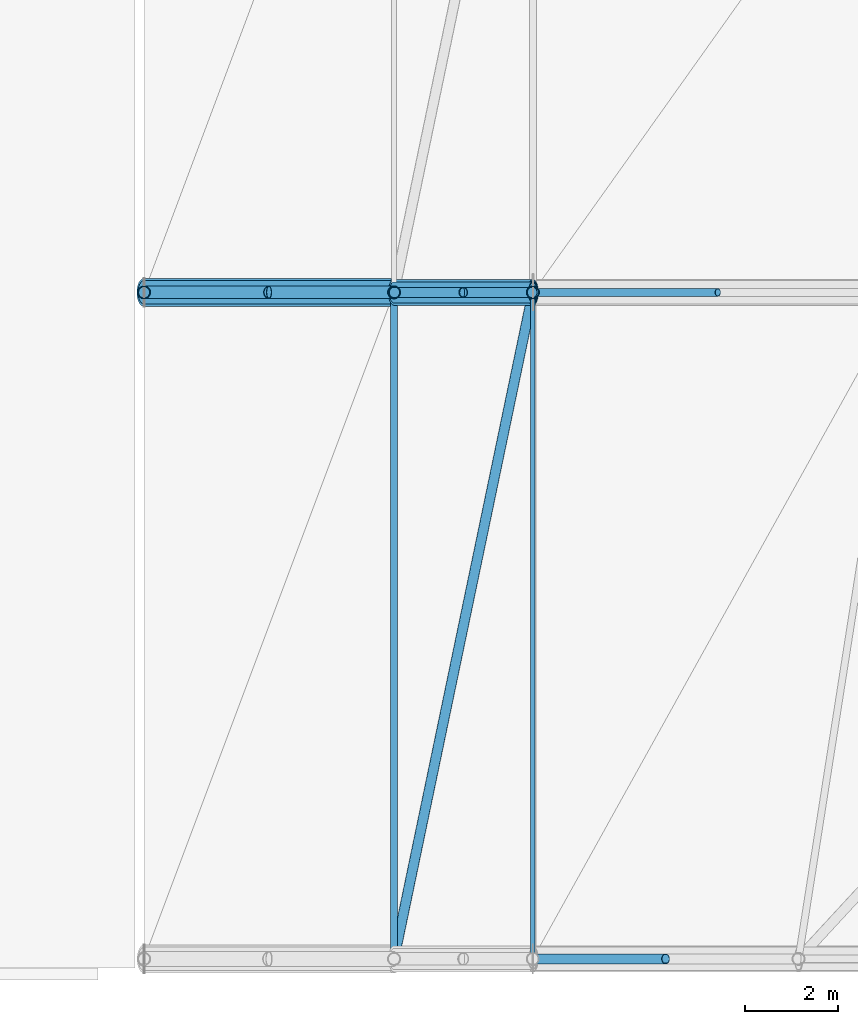
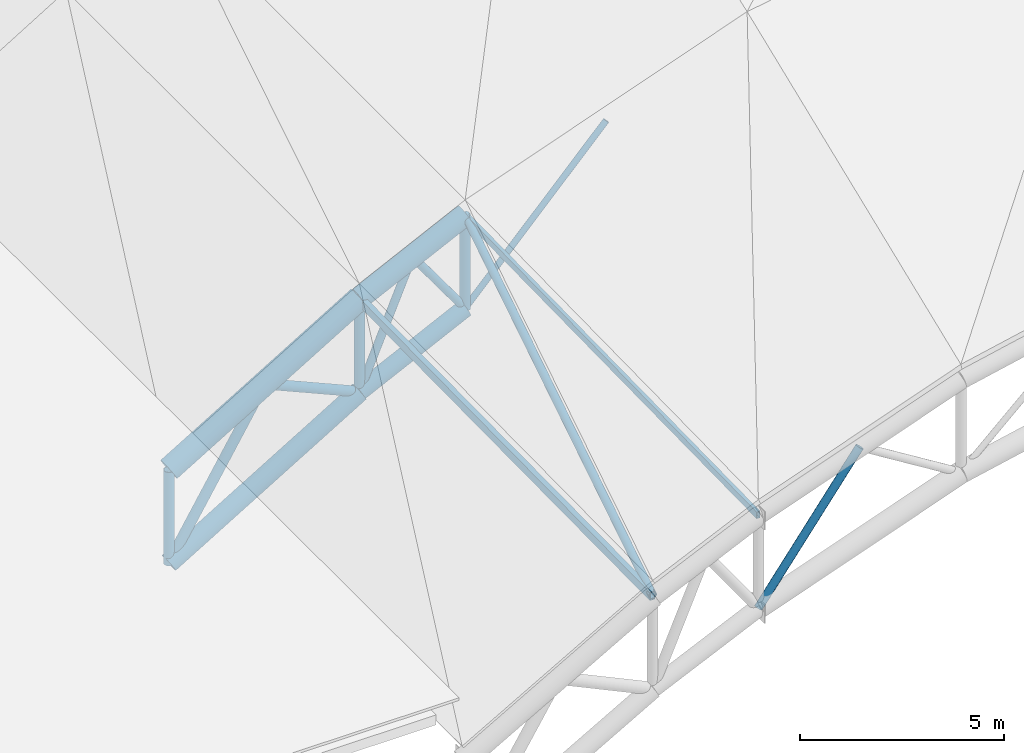
# One storey, part 2 of 36: 16 members.
"""IFC4 building model written with IfcOpenShell, lengths in metres."""

import ifcopenshell
import ifcopenshell.guid

model = None  # the IFC model being written
_history = None  # IfcOwnerHistory: only IFC2X3 demands one
_inside = {}  # id of a spatial element -> (the spatial element, [elements in it])
_under = {}  # id of a project, library or spatial element -> (it, [spatial elements below it])
_declared = {}  # id of a project -> (the project, [libraries it declares])
_typed = {}  # id of a type object -> (the type object, [elements of that type])
_made_of = {}  # id of a material, layer set ... -> (it, [elements and type objects made of it])


def new_model(schema):
    """Start an empty IFC model of exactly this schema.

    Asked for "IFC4X3", IfcOpenShell would pick the latest addendum, in which some entities
    have other attributes; the version numbers below select the first issue.
    IFC2X3 requires an IfcOwnerHistory on every rooted entity: one is made here for all.
    """
    global model, _history
    if schema == "IFC4X3":
        model = ifcopenshell.file(schema_version=(4, 3, 0, 0))
    else:
        model = ifcopenshell.file(schema=schema)
    _inside.clear()
    _under.clear()
    _declared.clear()
    _typed.clear()
    _made_of.clear()
    _history = None
    if model.schema == "IFC2X3":
        org = make("IfcOrganization", Name="unknown")
        user = make(
            "IfcPersonAndOrganization",
            ThePerson=make("IfcPerson", FamilyName="unknown"),
            TheOrganization=org,
        )
        app = make(
            "IfcApplication",
            ApplicationDeveloper=org,
            Version="unknown",
            ApplicationFullName="unknown",
            ApplicationIdentifier="unknown",
        )
        _history = make(
            "IfcOwnerHistory",
            OwningUser=user,
            OwningApplication=app,
            ChangeAction="ADDED",
            CreationDate=0,
        )
    return model


def make(cls, **values):
    """One entity of the class cls with the attributes given. An attribute that is None is left unset."""
    return model.create_entity(
        cls, **{name: value for name, value in values.items() if value is not None}
    )


def rooted(cls, **values):
    """An entity with a GlobalId (a new one), such as an element, a storey or a relation."""
    return make(cls, GlobalId=ifcopenshell.guid.new(), OwnerHistory=_history, **values)


def si_unit(unit_type, name, prefix=None):
    """IfcSIUnit, for example si_unit("LENGTHUNIT", "METRE", prefix="MILLI")."""
    return make("IfcSIUnit", UnitType=unit_type, Prefix=prefix, Name=name)


def assignment(units):
    """IfcUnitAssignment: the units of a project."""
    return None if units is None else make("IfcUnitAssignment", Units=units)


def point(xyz):
    """IfcCartesianPoint."""
    return None if xyz is None else make("IfcCartesianPoint", Coordinates=xyz)


def direction(xyz):
    """IfcDirection."""
    return None if xyz is None else make("IfcDirection", DirectionRatios=xyz)


def frame(location, z_axis=None, x_axis=None):
    """IfcAxis2Placement3D, a coordinate frame: its origin and axes. An axis left out is left unset."""
    return make(
        "IfcAxis2Placement3D",
        Location=point(location),
        Axis=direction(z_axis),
        RefDirection=direction(x_axis),
    )


def frame_2d(location, x_axis=None):
    """IfcAxis2Placement2D, a coordinate frame in the plane: its origin and x axis."""
    return make(
        "IfcAxis2Placement2D", Location=point(location), RefDirection=direction(x_axis)
    )


def origin():
    """The frame at (0, 0, 0) with its axes left unset."""
    return frame((0.0, 0.0, 0.0))


def origin_2d():
    """The frame at (0, 0) in the plane with its x axis left unset."""
    return frame_2d((0.0, 0.0))


def place(relative_to, where):
    """IfcLocalPlacement: puts the frame where relative to a parent placement (None: the world)."""
    return make(
        "IfcLocalPlacement", PlacementRelTo=relative_to, RelativePlacement=where
    )


def context(
    kind, dimensions, precision=None, world=None, true_north=None, identifier=None
):
    """IfcGeometricRepresentationContext, for example the 3D "Model" context."""
    return make(
        "IfcGeometricRepresentationContext",
        ContextIdentifier=identifier,
        ContextType=kind,
        CoordinateSpaceDimension=dimensions,
        Precision=precision,
        WorldCoordinateSystem=world,
        TrueNorth=true_north,
    )


def subcontext(parent, identifier, kind, view, scale=None):
    """IfcGeometricRepresentationSubContext, for example "Body" below "Model"."""
    return make(
        "IfcGeometricRepresentationSubContext",
        ContextIdentifier=identifier,
        ContextType=kind,
        ParentContext=parent,
        TargetScale=scale,
        TargetView=view,
    )


def project(units=None, contexts=None):
    """IfcProject with its units and contexts."""
    return rooted(
        "IfcProject",
        Name="project",
        RepresentationContexts=contexts,
        UnitsInContext=assignment(units),
    )


def spatial(cls, under=None, at=None, **own):
    """A site, building, storey or space (cls), placed at a placement, below another one or the project."""
    s = rooted(cls, ObjectPlacement=at, **own)
    if under is not None:
        _under.setdefault(under.id(), (under, []))[1].append(s)
    return s


def profile(cls, at=None, kind="AREA", **sizes):
    """A parametric profile (cls). Its sizes go by their IFC names, for example OverallWidth=200.0."""
    return make(cls, ProfileType=kind, Position=at, **sizes)


def hollow_rectangle(**sizes):
    """IfcRectangleHollowProfileDef."""
    return profile("IfcRectangleHollowProfileDef", **sizes)


def hollow_circle(**sizes):
    """IfcCircleHollowProfileDef."""
    return profile("IfcCircleHollowProfileDef", **sizes)


def extrude(swept, where, along, depth):
    """IfcExtrudedAreaSolid: the profile swept, set in the frame where, extruded along a direction by depth."""
    return make(
        "IfcExtrudedAreaSolid",
        SweptArea=swept,
        Position=where,
        ExtrudedDirection=direction(along),
        Depth=depth,
    )


def shape(context_of_items, identifier, shape_type, items):
    """IfcShapeRepresentation: the items that make up one representation, for example the "Body"."""
    return make(
        "IfcShapeRepresentation",
        ContextOfItems=context_of_items,
        RepresentationIdentifier=identifier,
        RepresentationType=shape_type,
        Items=items,
    )


def material(Name=None, Category=None):
    """IfcMaterial."""
    return make("IfcMaterial", Name=Name, Category=Category)


def material_profile(
    of_material, cross_section, Name=None, Category=None, Priority=None
):
    """IfcMaterialProfile: a cross section and its material."""
    return make(
        "IfcMaterialProfile",
        Name=Name,
        Material=of_material,
        Profile=cross_section,
        Priority=Priority,
        Category=Category,
    )


def profile_set(profiles, Name=None, composite=None):
    """IfcMaterialProfileSet."""
    return make(
        "IfcMaterialProfileSet",
        Name=Name,
        MaterialProfiles=profiles,
        CompositeProfile=composite,
    )


def made_of(thing, what):
    """Note that an element or type object is made of a material, layer set ...; save() writes the relation."""
    if what is not None:
        _made_of.setdefault(what.id(), (what, []))[1].append(thing)
    return thing


def type_object(cls, material=None, **own):
    """A type object (cls), such as IfcWallType, which elements share."""
    return made_of(rooted(cls, **own), material)


def element(
    cls,
    number,
    at=None,
    inside=None,
    cuts=None,
    type_object=None,
    material=None,
    context=None,
    identifier="Body",
    shape_type=None,
    held_by="IfcProductDefinitionShape",
    body=None,
    shapes=None,
    **own,
):
    """One element of the class cls, such as IfcWall. Its Tag is "e" and its number.

    at: its placement. inside: the storey or other place that contains it. cuts: it is an
    opening in that element (IfcRelVoidsElement). A single representation is given by context,
    identifier, shape_type and body (its items); several are given by shapes. held_by: the class
    of the entity that holds the representations. save() writes the other relations.
    """
    e = rooted(cls, Tag="e%d" % number, ObjectPlacement=at, **own)
    if body is not None:
        shapes = [shape(context, identifier, shape_type, body)]
    if shapes is not None:
        e.Representation = make(held_by, Representations=shapes)
    if inside is not None:
        _inside.setdefault(inside.id(), (inside, []))[1].append(e)
    if cuts is not None:
        rooted(
            "IfcRelVoidsElement", RelatingBuildingElement=cuts, RelatedOpeningElement=e
        )
    if type_object is not None:
        _typed.setdefault(type_object.id(), (type_object, []))[1].append(e)
    return made_of(e, material)


def aggregate(whole, parts):
    """IfcRelAggregates: a whole, such as a stair, and the parts it consists of."""
    return rooted("IfcRelAggregates", RelatingObject=whole, RelatedObjects=parts)


def save(model, path):
    """Write the relations noted so far, then the file.

    IfcRelAggregates (storeys below a building ...), IfcRelContainedInSpatialStructure (elements
    in a storey), IfcRelDefinesByType, IfcRelAssociatesMaterial and IfcRelDeclares: one each for
    every whole, place, type object, material and project.
    """
    for whole, parts in _under.values():
        aggregate(whole, parts)
    for where, things in _inside.values():
        rooted(
            "IfcRelContainedInSpatialStructure",
            RelatedElements=things,
            RelatingStructure=where,
        )
    for kind, things in _typed.values():
        rooted("IfcRelDefinesByType", RelatedObjects=things, RelatingType=kind)
    for what, things in _made_of.values():
        rooted("IfcRelAssociatesMaterial", RelatedObjects=things, RelatingMaterial=what)
    for by, libraries in _declared.values():
        rooted("IfcRelDeclares", RelatingContext=by, RelatedDefinitions=libraries)
    model.write(path)


model = new_model("IFC4")

# Units and contexts
model_context = context("Model", 3, precision=1e-05, world=origin(), true_north=direction((0.0, 1.0)))
body_context = subcontext(model_context, "Body", "Model", "MODEL_VIEW")
ifc_project = project(units=[si_unit("LENGTHUNIT", "METRE"), si_unit("AREAUNIT", "SQUARE_METRE"), si_unit("VOLUMEUNIT", "CUBIC_METRE"), si_unit("PLANEANGLEUNIT", "RADIAN"), si_unit("MASSUNIT", "GRAM", prefix="KILO")], contexts=[model_context])

# Site, building, storey
site_placement = place(None, origin())
site = spatial("IfcSite", under=ifc_project, at=site_placement, CompositionType="ELEMENT")
building_placement = place(site_placement, origin())
building = spatial("IfcBuilding", under=site, at=building_placement, Name="Koshinbarg Plaza Stadium", CompositionType="ELEMENT")
storey_placement = place(building_placement, frame((0.0, 0.0, 34.199951171875)))
storey = spatial("IfcBuildingStorey", under=building, at=storey_placement, Name="RF", CompositionType="ELEMENT", Elevation=34.199951171875)

# Members
ifc_material = material(Name="Steel S355", Category="steel")
ifc_material_profile_1 = material_profile(ifc_material, hollow_circle(Radius=0.136474609375, WallThickness=0.012451171875, at=origin_2d()), Name="CHS 273x12.5")
ifc_profile_set_1 = profile_set([ifc_material_profile_1], Name="Steel S355")
member_type_1 = type_object("IfcMemberType", Name="MB-BRACE-02", PredefinedType="BRACE", material=ifc_profile_set_1)
member_1_placement = place(storey_placement, frame((46.199951171875, 39.89990234375, -4.800048828125), z_axis=(0.521188821641, 0.0, 0.853441393534), x_axis=(0.0, 1.0, 0.0)))
element("IfcMember", 1, at=member_1_placement, inside=storey, type_object=member_type_1, Name="Quarter-barrel roof truss web diagonal WRB-02-1A", PredefinedType="BRACE", context=body_context, shape_type="SweptSolid", body=[
    extrude(hollow_circle(Radius=0.136474609375, WallThickness=0.012451171875, at=origin_2d()), origin(), (0.0, 0.0, 1.0), 5.180419921875),
])
member_2_placement = place(storey_placement, frame((48.89990234375, 39.89990234375, -0.37890625), z_axis=(0.916453757084, 0.0, -0.400140614192), x_axis=(0.0, 1.0, 0.0)))
element("IfcMember", 2, at=member_2_placement, inside=storey, type_object=member_type_1, Name="Quarter-barrel roof truss web diagonal WRB-02-1B", PredefinedType="BRACE", context=body_context, shape_type="SweptSolid", body=[
    extrude(hollow_circle(Radius=0.136474609375, WallThickness=0.012451171875, at=origin_2d()), origin(), (0.0, 0.0, 1.0), 2.9462890625),
])
for number, where, z_axis, x_axis, name in (
    (3, (46.199951171875, 39.89990234375, -4.800048828125), (0.0, 0.0, 1.0), (1.0, 0.0, 0.0), "Quarter-barrel roof truss post WRB-02-1"),
    (4, (51.60009765625, 39.89990234375, -1.557861328125), (0.0, 0.0, 1.0), (1.0, 0.0, 0.0), "Quarter-barrel roof truss post WRB-02-2"),
    (5, (54.60009765625, 39.89990234375, -0.10302734375), (0.0, 0.0, 1.0), (1.0, 0.0, 0.0), "Quarter-barrel roof truss post WRB-02-3"),
):
    element("IfcMember", number, at=place(storey_placement, frame(where, z_axis=z_axis, x_axis=x_axis)), inside=storey, type_object=member_type_1, Name=name, PredefinedType="BRACE", context=body_context, shape_type="SweptSolid", body=[
        extrude(hollow_circle(Radius=0.136474609375, WallThickness=0.012451171875, at=origin_2d()), origin(), (0.0, 0.0, 1.0), 2.800048828125),
    ])
ifc_material_profile_2 = material_profile(ifc_material, hollow_circle(Radius=0.109619140625, WallThickness=0.010009765625, at=origin_2d()), Name="CHS 219.1x10")
ifc_profile_set_2 = profile_set([ifc_material_profile_2], Name="Steel S355")
member_type_2 = type_object("IfcMemberType", Name="MB-BRACE-03", PredefinedType="BRACE", material=ifc_profile_set_2)
member_3_placement = place(storey_placement, frame((54.60009765625, 25.5, -0.353271484375), z_axis=(0.600335027586, 0.0, 0.799748619664), x_axis=(0.0, 1.0, 0.0)))
element("IfcMember", 6, at=member_3_placement, inside=storey, type_object=member_type_2, Name="Quarter-barrel roof truss web diagonal WRB-01-3A", PredefinedType="BRACE", context=body_context, shape_type="SweptSolid", body=[
    extrude(hollow_circle(Radius=0.109619140625, WallThickness=0.010009765625, at=origin_2d()), origin(), (0.0, 0.0, 1.0), 4.779541015625),
])
member_4_placement = place(storey_placement, frame((51.60009765625, 39.89990234375, -1.557861328125), z_axis=(0.391311912373, 0.0, 0.92025810903), x_axis=(0.0, 1.0, 0.0)))
element("IfcMember", 7, at=member_4_placement, inside=storey, type_object=member_type_2, Name="Quarter-barrel roof truss web diagonal WRB-02-2A", PredefinedType="BRACE", context=body_context, shape_type="SweptSolid", body=[
    extrude(hollow_circle(Radius=0.109619140625, WallThickness=0.010009765625, at=origin_2d()), origin(), (0.0, 0.0, 1.0), 3.833251953125),
])
member_5_placement = place(storey_placement, frame((53.10009765625, 39.89990234375, 1.9697265625), z_axis=(0.586263716238, 0.0, -0.810120271949), x_axis=(0.0, 1.0, 0.0)))
element("IfcMember", 8, at=member_5_placement, inside=storey, type_object=member_type_2, Name="Quarter-barrel roof truss web diagonal WRB-02-2B", PredefinedType="BRACE", context=body_context, shape_type="SweptSolid", body=[
    extrude(hollow_circle(Radius=0.109619140625, WallThickness=0.010009765625, at=origin_2d()), origin(), (0.0, 0.0, 1.0), 2.55859375),
])
member_6_placement = place(storey_placement, frame((51.60009765625, 25.5, 1.0732421875), z_axis=(0.202724061529, 0.973068896246, 0.109726378029), x_axis=(-0.978980143565, 0.203955579738, 0.0)))
element("IfcMember", 9, at=member_6_placement, inside=storey, type_object=member_type_2, Name="Roof plan wind brace west bay 1.2", PredefinedType="BRACE", context=body_context, shape_type="SweptSolid", body=[
    extrude(hollow_circle(Radius=0.109619140625, WallThickness=0.010009765625, at=origin_2d()), origin(), (0.0, 0.0, 1.0), 14.79833984375),
])
ifc_material_profile_3 = material_profile(ifc_material, hollow_circle(Radius=0.084228515625, WallThickness=0.008056640625, at=origin_2d()), Name="CHS 168.3x8")
ifc_profile_set_3 = profile_set([ifc_material_profile_3], Name="Steel S355")
member_type_3 = type_object("IfcMemberType", Name="MB-BRACE-04", PredefinedType="BRACE", material=ifc_profile_set_3)
member_7_placement = place(storey_placement, frame((54.60009765625, 39.89990234375, -0.10302734375), z_axis=(0.687397482142, 0.0, 0.72628142035), x_axis=(0.0, 1.0, 0.0)))
element("IfcMember", 10, at=member_7_placement, inside=storey, type_object=member_type_3, Name="Quarter-barrel roof truss web diagonal WRB-02-3A", PredefinedType="BRACE", context=body_context, shape_type="SweptSolid", body=[
    extrude(hollow_circle(Radius=0.084228515625, WallThickness=0.008056640625, at=origin_2d()), origin(), (0.0, 0.0, 1.0), 5.81396484375),
])
ifc_material_profile_4 = material_profile(ifc_material, hollow_circle(Radius=0.304931640625, WallThickness=0.02490234375, at=origin_2d()), Name="CHS 610x25")
ifc_profile_set_4 = profile_set([ifc_material_profile_4], Name="Steel S355")
member_type_4 = type_object("IfcMemberType", Name="MB-CHORD-01", PredefinedType="CHORD", material=ifc_profile_set_4)
member_8_placement = place(storey_placement, frame((46.199951171875, 39.89990234375, -2.0), z_axis=(0.857345828386, 0.0, 0.514740838237), x_axis=(0.0, 1.0, 0.0)))
element("IfcMember", 11, at=member_8_placement, inside=storey, type_object=member_type_4, Name="Quarter-barrel roof truss top chord WRB-02-1", PredefinedType="CHORD", context=body_context, shape_type="SweptSolid", body=[
    extrude(hollow_circle(Radius=0.304931640625, WallThickness=0.02490234375, at=origin_2d()), origin(), (0.0, 0.0, 1.0), 6.298583984375),
])
ifc_material_profile_5 = material_profile(ifc_material, hollow_circle(Radius=0.279541015625, WallThickness=0.022216796875, at=origin_2d()), Name="CHS 559x22.2")
ifc_profile_set_5 = profile_set([ifc_material_profile_5], Name="Steel S355")
member_type_5 = type_object("IfcMemberType", Name="MB-CHORD-02", PredefinedType="CHORD", material=ifc_profile_set_5)
member_9_placement = place(storey_placement, frame((51.60009765625, 39.89990234375, 1.2421875), z_axis=(0.899780132751, 0.0, 0.436343571864), x_axis=(0.0, 1.0, 0.0)))
element("IfcMember", 12, at=member_9_placement, inside=storey, type_object=member_type_5, Name="Quarter-barrel roof truss top chord WRB-02-2", PredefinedType="CHORD", context=body_context, shape_type="SweptSolid", body=[
    extrude(hollow_circle(Radius=0.279541015625, WallThickness=0.022216796875, at=origin_2d()), origin(), (0.0, 0.0, 1.0), 3.334228515625),
])
ifc_material_profile_6 = material_profile(ifc_material, hollow_circle(Radius=0.25390625, WallThickness=0.02001953125, at=origin_2d()), Name="CHS 508x20")
ifc_profile_set_6 = profile_set([ifc_material_profile_6], Name="Steel S355")
member_type_6 = type_object("IfcMemberType", Name="MB-CHORD-03", PredefinedType="CHORD", material=ifc_profile_set_6)
member_10_placement = place(storey_placement, frame((46.199951171875, 39.89990234375, -4.800048828125), z_axis=(0.857345828386, 0.0, 0.514740838237), x_axis=(0.0, 1.0, 0.0)))
element("IfcMember", 13, at=member_10_placement, inside=storey, type_object=member_type_6, Name="Quarter-barrel roof truss bottom chord WRB-02-1", PredefinedType="CHORD", context=body_context, shape_type="SweptSolid", body=[
    extrude(hollow_circle(Radius=0.25390625, WallThickness=0.02001953125, at=origin_2d()), origin(), (0.0, 0.0, 1.0), 6.298583984375),
])
ifc_material_profile_7 = material_profile(ifc_material, hollow_circle(Radius=0.228515625, WallThickness=0.02001953125, at=origin_2d()), Name="CHS 457x20")
ifc_profile_set_7 = profile_set([ifc_material_profile_7], Name="Steel S355")
member_type_7 = type_object("IfcMemberType", Name="MB-CHORD-04", PredefinedType="CHORD", material=ifc_profile_set_7)
member_11_placement = place(storey_placement, frame((51.60009765625, 39.89990234375, -1.557861328125), z_axis=(0.899780132751, 0.0, 0.436343571864), x_axis=(0.0, 1.0, 0.0)))
element("IfcMember", 14, at=member_11_placement, inside=storey, type_object=member_type_7, Name="Quarter-barrel roof truss bottom chord WRB-02-2", PredefinedType="CHORD", context=body_context, shape_type="SweptSolid", body=[
    extrude(hollow_circle(Radius=0.228515625, WallThickness=0.02001953125, at=origin_2d()), origin(), (0.0, 0.0, 1.0), 3.334228515625),
])
ifc_material_profile_8 = material_profile(ifc_material, hollow_rectangle(XDim=0.14990234375, YDim=0.25, WallThickness=0.010009765625, at=origin_2d()), Name="RHS 250x150x10")
ifc_profile_set_8 = profile_set([ifc_material_profile_8], Name="Steel S355")
member_type_8 = type_object("IfcMemberType", Name="MB-PURL-02", PredefinedType="PURLIN", material=ifc_profile_set_8)
member_12_placement = place(storey_placement, frame((51.60009765625, 25.5, 1.053466796875), z_axis=(0.0, 0.999931381313, 0.01171463471), x_axis=(-1.0, 0.0, 0.0)))
element("IfcMember", 15, at=member_12_placement, inside=storey, type_object=member_type_8, Name="Roof longitudinal purlin west bay 1.2", PredefinedType="PURLIN", context=body_context, shape_type="SweptSolid", body=[
    extrude(hollow_rectangle(XDim=0.14990234375, YDim=0.25, WallThickness=0.010009765625, at=origin_2d()), origin(), (0.0, 0.0, 1.0), 14.40087890625),
])
ifc_material_profile_9 = material_profile(ifc_material, hollow_rectangle(XDim=0.10009765625, YDim=0.199951171875, WallThickness=0.008056640625, at=origin_2d()), Name="RHS 200x100x8")
ifc_profile_set_9 = profile_set([ifc_material_profile_9], Name="Steel S355")
member_type_9 = type_object("IfcMemberType", Name="MB-PURL-03", PredefinedType="PURLIN", material=ifc_profile_set_9)
member_13_placement = place(storey_placement, frame((54.60009765625, 25.5, 2.4267578125), z_axis=(0.0, 0.999849033568, 0.017375559652), x_axis=(-1.0, 0.0, 0.0)))
element("IfcMember", 16, at=member_13_placement, inside=storey, type_object=member_type_9, Name="Roof longitudinal purlin west bay 1.3", PredefinedType="PURLIN", context=body_context, shape_type="SweptSolid", body=[
    extrude(hollow_rectangle(XDim=0.10009765625, YDim=0.199951171875, WallThickness=0.008056640625, at=origin_2d()), origin(), (0.0, 0.0, 1.0), 14.402099609375),
])

save(model, "model.ifc")
